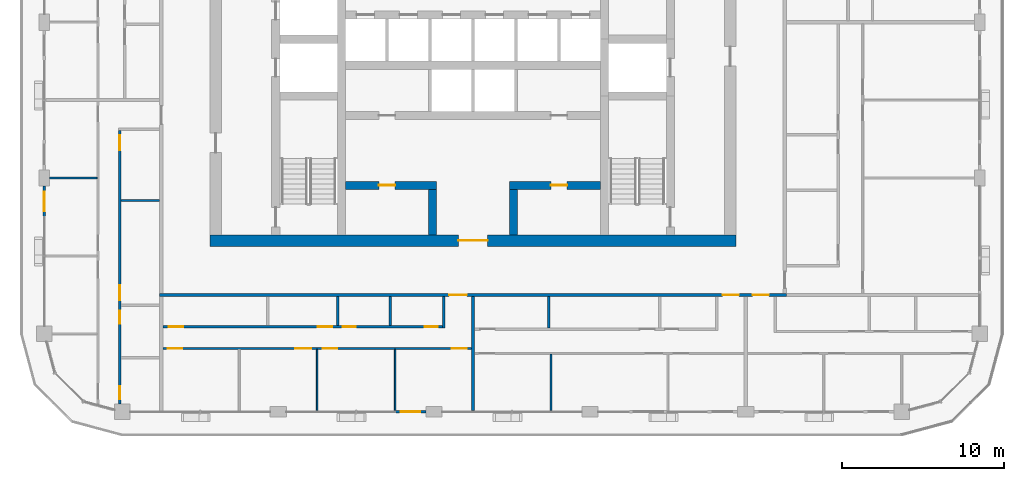
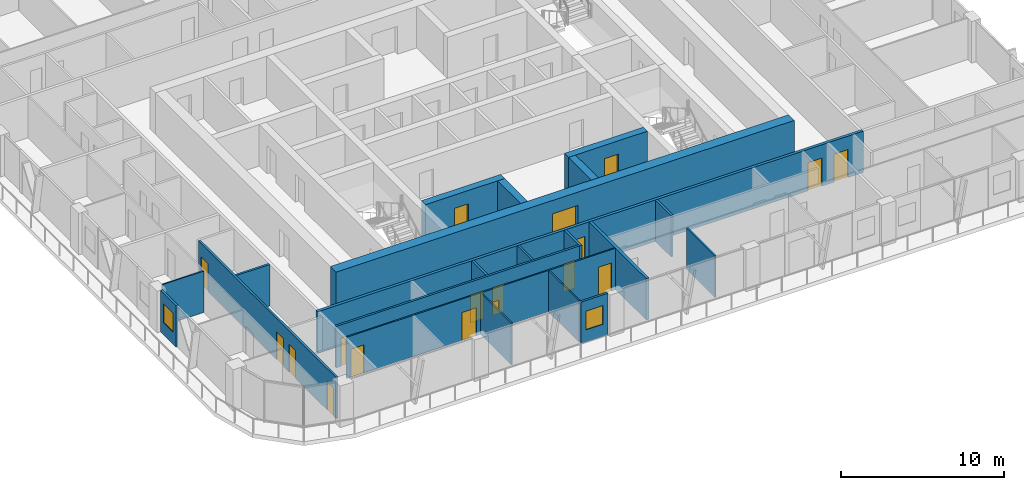
# One storey, part 9 of 22: 21 walls, 18 doors, 2 windows, 20 openings.
"""IFC4 building model written with IfcOpenShell, lengths in metres."""

from ifc_helpers import new_model, si_unit, direction, frame, frame_2d, origin, place, context, subcontext, project, spatial, rectangle, extrude, material, layer, layer_set, type_object, element, fill, save


model = new_model("IFC4")

# Units and contexts
model_context = context("Model", 3, precision=1e-05, world=origin(), true_north=direction((0.0, 1.0)))
body_context = subcontext(model_context, "Body", "Model", "MODEL_VIEW")
ifc_project = project(units=[si_unit("LENGTHUNIT", "METRE"), si_unit("AREAUNIT", "SQUARE_METRE"), si_unit("VOLUMEUNIT", "CUBIC_METRE"), si_unit("PLANEANGLEUNIT", "RADIAN"), si_unit("MASSUNIT", "GRAM", prefix="KILO")], contexts=[model_context])

# Site, building, storey
site_placement = place(None, origin())
site = spatial("IfcSite", under=ifc_project, at=site_placement, CompositionType="ELEMENT")
building_placement = place(site_placement, origin())
building = spatial("IfcBuilding", under=site, at=building_placement, Name="Madar Terraces", CompositionType="ELEMENT")
storey_placement = place(building_placement, frame((0.0, 0.0, 229.800048828125)))
storey = spatial("IfcBuildingStorey", under=building, at=storey_placement, Name="L60", CompositionType="ELEMENT", Elevation=229.800048828125)

# Wall, opening, door
ifc_material_1 = material(Name="Concrete C60/75", Category="concrete")
ifc_layer_1 = layer(ifc_material_1, 0.5)
ifc_layer_set_1 = layer_set([ifc_layer_1], Name="Concrete C60/75 (CIW4 RC wall 500)")
wall_type_1 = type_object("IfcWallType", Name="CIW4 RC wall 500", PredefinedType="SHEAR", material=ifc_layer_set_1)
wall_1_placement = place(storey_placement, frame((23.35009765625, 18.75, 0.0), z_axis=(0.0, 0.0, 1.0), x_axis=(1.0, 0.0, 0.0)))
wall_1 = element("IfcWall", 1, at=wall_1_placement, inside=storey, type_object=wall_type_1, Name="CORE SHAFT WALL", PredefinedType="SHEAR", context=body_context, shape_type="SweptSolid", body=[
    extrude(rectangle(XDim=5.599853515625, YDim=0.5, at=frame_2d((2.7998046875, 0.0))), origin(), (0.0, 0.0, 1.0), 3.099853515625),
])
opening_1_placement = place(wall_1_placement, frame((2.050048828125, 0.0, 0.0)))
opening_1 = element("IfcOpeningElement", 2, at=opening_1_placement, cuts=wall_1, Name="Opening KD2", PredefinedType="OPENING", context=body_context, shape_type="SweptSolid", body=[
    extrude(rectangle(XDim=1.0, YDim=2.10009765625, at=frame_2d((0.5, 1.050048828125))), frame((0.0, 0.260009765625, 0.0), z_axis=(0.0, -1.0, 0.0), x_axis=(1.0, 0.0, 0.0)), (0.0, 0.0, 1.0), 0.52001953125),
])
ifc_material_2 = material(Name="Steel door leaf", Category="steel")
door_type_1 = type_object("IfcDoorType", Name="Service room door 1000 x 2100", OperationType="NOTDEFINED", PredefinedType="DOOR", material=ifc_material_2)
door_1_placement = place(opening_1_placement, origin())
door_1 = element("IfcDoor", 3, at=door_1_placement, inside=storey, type_object=door_type_1, Name="SERVICE ROOM DOOR", OperationType="SINGLE_SWING_LEFT", OverallHeight=2.10009765625, OverallWidth=1.0, PredefinedType="DOOR", context=body_context, shape_type="SweptSolid", body=[
    extrude(rectangle(XDim=1.0, YDim=2.10009765625, at=frame_2d((0.5, 1.050048828125))), frame((0.0, 0.02490234375, 0.0), z_axis=(0.0, -1.0, 0.0), x_axis=(1.0, 0.0, 0.0)), (0.0, 0.0, 1.0), 0.050048828125),
])
fill(opening_1, door_1)

wall_2_placement = place(storey_placement, frame((33.449951171875, 18.75, 0.0), z_axis=(0.0, 0.0, 1.0), x_axis=(1.0, 0.0, 0.0)))
wall_2 = element("IfcWall", 4, at=wall_2_placement, inside=storey, type_object=wall_type_1, Name="CORE SHAFT WALL", PredefinedType="SHEAR", context=body_context, shape_type="SweptSolid", body=[
    extrude(rectangle(XDim=5.60009765625, YDim=0.5, at=frame_2d((2.800048828125, 0.0))), origin(), (0.0, 0.0, 1.0), 3.099853515625),
])
opening_2_placement = place(wall_2_placement, frame((2.550048828125, 0.0, 0.0)))
opening_2 = element("IfcOpeningElement", 5, at=opening_2_placement, cuts=wall_2, Name="Opening KD2", PredefinedType="OPENING", context=body_context, shape_type="SweptSolid", body=[
    extrude(rectangle(XDim=1.0, YDim=2.10009765625, at=frame_2d((0.5, 1.050048828125))), frame((0.0, 0.260009765625, 0.0), z_axis=(0.0, -1.0, 0.0), x_axis=(1.0, 0.0, 0.0)), (0.0, 0.0, 1.0), 0.52001953125),
])
door_2_placement = place(opening_2_placement, origin())
door_2 = element("IfcDoor", 6, at=door_2_placement, inside=storey, type_object=door_type_1, Name="SERVICE ROOM DOOR", OperationType="SINGLE_SWING_RIGHT", OverallHeight=2.10009765625, OverallWidth=1.0, PredefinedType="DOOR", context=body_context, shape_type="SweptSolid", body=[
    extrude(rectangle(XDim=1.0, YDim=2.10009765625, at=frame_2d((0.5, 1.050048828125))), frame((0.0, 0.02490234375, 0.0), z_axis=(0.0, -1.0, 0.0), x_axis=(1.0, 0.0, 0.0)), (0.0, 0.0, 1.0), 0.050048828125),
])
fill(opening_2, door_2)

# Walls
for number, where, z_axis, x_axis, name in (
    (7, (28.699951171875, 15.699951171875, 0.0), (0.0, 0.0, 1.0), (0.0, 1.0, 0.0), "CORE SHAFT WALL"),
    (8, (33.699951171875, 15.699951171875, 0.0), (0.0, 0.0, 1.0), (0.0, 1.0, 0.0), "CORE SHAFT WALL"),
):
    element("IfcWall", number, at=place(storey_placement, frame(where, z_axis=z_axis, x_axis=x_axis)), inside=storey, type_object=wall_type_1, Name=name, PredefinedType="SHEAR", context=body_context, shape_type="SweptSolid", body=[
        extrude(rectangle(XDim=2.800048828125, YDim=0.5, at=frame_2d((1.39990234375, 0.0))), origin(), (0.0, 0.0, 1.0), 3.099853515625),
    ])

# Wall, opening, door
ifc_material_3 = material(Name="Concrete C60/75", Category="concrete")
ifc_layer_2 = layer(ifc_material_3, 0.699951171875)
ifc_layer_set_2 = layer_set([ifc_layer_2], Name="Concrete C60/75 (CRW4 RC wall 700)")
wall_type_2 = type_object("IfcWallType", Name="CRW4 RC wall 700", PredefinedType="SHEAR", material=ifc_layer_set_2)
wall_3_placement = place(storey_placement, frame((15.0, 15.35009765625, 0.0), z_axis=(0.0, 0.0, 1.0), x_axis=(1.0, 0.0, 0.0)))
wall_3 = element("IfcWall", 9, at=wall_3_placement, inside=storey, type_object=wall_type_2, Name="CORE OUTER WALL", PredefinedType="SHEAR", context=body_context, shape_type="SweptSolid", body=[
    extrude(rectangle(XDim=32.39990234375, YDim=0.699951171875, at=frame_2d((16.199951171875, 0.0))), origin(), (0.0, 0.0, 1.0), 3.099853515625),
])
opening_3_placement = place(wall_3_placement, frame((15.300048828125, 0.0, 0.0)))
opening_3 = element("IfcOpeningElement", 10, at=opening_3_placement, cuts=wall_3, Name="Opening KD1", PredefinedType="OPENING", context=body_context, shape_type="SweptSolid", body=[
    extrude(rectangle(XDim=1.800048828125, YDim=2.10009765625, at=frame_2d((0.89990234375, 1.050048828125))), frame((0.0, 0.35986328125, 0.0), z_axis=(0.0, -1.0, 0.0), x_axis=(1.0, 0.0, 0.0)), (0.0, 0.0, 1.0), 0.719970703125),
])
ifc_material_4 = material(Name="Steel door leaf", Category="steel")
door_type_2 = type_object("IfcDoorType", Name="Lobby door pair 1800 x 2100", OperationType="DOUBLE_DOOR_SINGLE_SWING", PredefinedType="DOOR", material=ifc_material_4)
door_3_placement = place(opening_3_placement, frame((1.800048828125, 0.0, 0.0), z_axis=(0.0, 0.0, 1.0), x_axis=(-1.0, 0.0, 0.0)))
door_3 = element("IfcDoor", 11, at=door_3_placement, inside=storey, type_object=door_type_2, Name="LIFT LOBBY DOOR", OperationType="DOUBLE_DOOR_SINGLE_SWING", OverallHeight=2.10009765625, OverallWidth=1.800048828125, PredefinedType="DOOR", context=body_context, shape_type="SweptSolid", body=[
    extrude(rectangle(XDim=1.800048828125, YDim=2.10009765625, at=frame_2d((0.89990234375, 1.050048828125))), frame((0.0, 0.02490234375, 0.0), z_axis=(0.0, -1.0, 0.0), x_axis=(1.0, 0.0, 0.0)), (0.0, 0.0, 1.0), 0.050048828125),
])
fill(opening_3, door_3)

# Wall, opening, window
ifc_material_5 = material(Name="Aluminium composite panel, black, over insulated backing", Category="aluminium")
ifc_layer_3 = layer(ifc_material_5, 0.14990234375)
ifc_layer_set_3 = layer_set([ifc_layer_3], Name="Facade bay panel 150")
wall_type_3 = type_object("IfcWallType", Name="Facade bay panel 150", PredefinedType="SOLIDWALL", material=ifc_layer_set_3)
wall_4_placement = place(storey_placement, frame((26.39990234375, 4.800048828125, 0.0), z_axis=(0.0, 0.0, 1.0), x_axis=(1.0, 0.0, 0.0)))
wall_4 = element("IfcWall", 12, at=wall_4_placement, inside=storey, type_object=wall_type_3, Name="Facade bay panel", PredefinedType="SOLIDWALL", context=body_context, shape_type="SweptSolid", body=[
    extrude(rectangle(XDim=1.900146484375, YDim=0.14990234375, at=frame_2d((0.9501953125, 0.0))), origin(), (0.0, 0.0, 1.0), 3.099853515625),
])
opening_4_placement = place(wall_4_placement, frame((0.35009765625, 0.0, 0.89990234375)))
opening_4 = element("IfcOpeningElement", 13, at=opening_4_placement, cuts=wall_4, Name="Opening W1", PredefinedType="OPENING", context=body_context, shape_type="SweptSolid", body=[
    extrude(rectangle(XDim=1.199951171875, YDim=1.39990234375, at=frame_2d((0.60009765625, 0.699951171875))), frame((0.0, 0.0849609375, 0.0), z_axis=(0.0, -1.0, 0.0), x_axis=(1.0, 0.0, 0.0)), (0.0, 0.0, 1.0), 0.169921875),
])
ifc_material_6 = material(Name="Glass, clear, with black aluminium frame", Category="aluminium")
window_type = type_object("IfcWindowType", Name="Vent window 1200 x 1400", PartitioningType="SINGLE_PANEL", PredefinedType="WINDOW", material=ifc_material_6)
window_1_placement = place(opening_4_placement, origin())
window_1 = element("IfcWindow", 14, at=window_1_placement, inside=storey, type_object=window_type, Name="Operable vent window", OverallHeight=1.39990234375, OverallWidth=1.199951171875, PartitioningType="SINGLE_PANEL", PredefinedType="WINDOW", context=body_context, shape_type="SweptSolid", body=[
    extrude(rectangle(XDim=1.199951171875, YDim=1.39990234375, at=frame_2d((0.60009765625, 0.699951171875))), frame((0.0, 0.030029296875, 0.0), z_axis=(0.0, -1.0, 0.0), x_axis=(1.0, 0.0, 0.0)), (0.0, 0.0, 1.0), 0.06005859375),
])
fill(opening_4, window_1)

wall_5_placement = place(storey_placement, frame((4.800048828125, 18.699951171875, 0.0), z_axis=(0.0, 0.0, 1.0), x_axis=(0.0, -1.0, 0.0)))
wall_5 = element("IfcWall", 15, at=wall_5_placement, inside=storey, type_object=wall_type_3, Name="Facade bay panel", PredefinedType="SOLIDWALL", context=body_context, shape_type="SweptSolid", body=[
    extrude(rectangle(XDim=1.89990234375, YDim=0.14990234375, at=frame_2d((0.949951171875, 0.0))), origin(), (0.0, 0.0, 1.0), 3.099853515625),
])
opening_5_placement = place(wall_5_placement, frame((0.35009765625, 0.0, 0.89990234375)))
opening_5 = element("IfcOpeningElement", 16, at=opening_5_placement, cuts=wall_5, Name="Opening W1", PredefinedType="OPENING", context=body_context, shape_type="SweptSolid", body=[
    extrude(rectangle(XDim=1.199951171875, YDim=1.39990234375, at=frame_2d((0.60009765625, 0.699951171875))), frame((0.0, 0.0849609375, 0.0), z_axis=(0.0, -1.0, 0.0), x_axis=(1.0, 0.0, 0.0)), (0.0, 0.0, 1.0), 0.169921875),
])
window_2_placement = place(opening_5_placement, origin())
window_2 = element("IfcWindow", 17, at=window_2_placement, inside=storey, type_object=window_type, Name="Operable vent window", OverallHeight=1.39990234375, OverallWidth=1.199951171875, PartitioningType="SINGLE_PANEL", PredefinedType="WINDOW", context=body_context, shape_type="SweptSolid", body=[
    extrude(rectangle(XDim=1.199951171875, YDim=1.39990234375, at=frame_2d((0.60009765625, 0.699951171875))), frame((0.0, 0.030029296875, 0.0), z_axis=(0.0, -1.0, 0.0), x_axis=(1.0, 0.0, 0.0)), (0.0, 0.0, 1.0), 0.06005859375),
])
fill(opening_5, window_2)

# Walls
ifc_material_7 = material(Name="Gypsum board on steel studs", Category="steel")
ifc_layer_4 = layer(ifc_material_7, 0.10009765625)
ifc_layer_set_4 = layer_set([ifc_layer_4], Name="Flat partition 100")
wall_type_4 = type_object("IfcWallType", Name="Flat partition 100", PredefinedType="PARTITIONING", material=ifc_layer_set_4)
for number, where, z_axis, x_axis, name in (
    (18, (26.39990234375, 8.64990234375, 0.0), (0.0, 0.0, 1.0), (0.0, -1.0, 0.0), "Flat partition 100"),
    (19, (21.60009765625, 8.64990234375, 0.0), (0.0, 0.0, 1.0), (0.0, -1.0, 0.0), "Flat partition 100"),
):
    element("IfcWall", number, at=place(storey_placement, frame(where, z_axis=z_axis, x_axis=x_axis)), inside=storey, type_object=wall_type_4, Name=name, PredefinedType="PARTITIONING", context=body_context, shape_type="SweptSolid", body=[
        extrude(rectangle(XDim=3.75, YDim=0.10009765625, at=frame_2d((1.875, 0.0))), origin(), (0.0, 0.0, 1.0), 3.099853515625),
    ])

# Wall, openings, doors
wall_6_placement = place(storey_placement, frame((31.10009765625, 8.699951171875, 0.0), z_axis=(0.0, 0.0, 1.0), x_axis=(-1.0, 0.0, 0.0)))
wall_6 = element("IfcWall", 20, at=wall_6_placement, inside=storey, type_object=wall_type_4, Name="Flat partition 100", PredefinedType="PARTITIONING", context=body_context, shape_type="SweptSolid", body=[
    extrude(rectangle(XDim=19.0, YDim=0.10009765625, at=frame_2d((9.5, 0.0))), origin(), (0.0, 0.0, 1.0), 3.099853515625),
])
opening_6_placement = place(wall_6_placement, frame((0.300048828125, 0.0, 0.0)))
opening_6 = element("IfcOpeningElement", 21, at=opening_6_placement, cuts=wall_6, Name="Opening D2", PredefinedType="OPENING", context=body_context, shape_type="SweptSolid", body=[
    extrude(rectangle(XDim=0.89990234375, YDim=2.10009765625, at=frame_2d((0.449951171875, 1.050048828125))), frame((0.0, 0.06005859375, 0.0), z_axis=(0.0, -1.0, 0.0), x_axis=(1.0, 0.0, 0.0)), (0.0, 0.0, 1.0), 0.1201171875),
])
opening_7_placement = place(wall_6_placement, frame((8.25, 0.0, 0.0)))
opening_7 = element("IfcOpeningElement", 22, at=opening_7_placement, cuts=wall_6, Name="Opening D2", PredefinedType="OPENING", context=body_context, shape_type="SweptSolid", body=[
    extrude(rectangle(XDim=0.89990234375, YDim=2.10009765625, at=frame_2d((0.449951171875, 1.050048828125))), frame((0.0, 0.06005859375, 0.0), z_axis=(0.0, -1.0, 0.0), x_axis=(1.0, 0.0, 0.0)), (0.0, 0.0, 1.0), 0.1201171875),
])
opening_8_placement = place(wall_6_placement, frame((9.85009765625, 0.0, 0.0)))
opening_8 = element("IfcOpeningElement", 23, at=opening_8_placement, cuts=wall_6, Name="Opening D3", PredefinedType="OPENING", context=body_context, shape_type="SweptSolid", body=[
    extrude(rectangle(XDim=1.0, YDim=2.10009765625, at=frame_2d((0.5, 1.050048828125))), frame((0.0, 0.06005859375, 0.0), z_axis=(0.0, -1.0, 0.0), x_axis=(1.0, 0.0, 0.0)), (0.0, 0.0, 1.0), 0.1201171875),
])
opening_9_placement = place(wall_6_placement, frame((17.800048828125, 0.0, 0.0)))
opening_9 = element("IfcOpeningElement", 24, at=opening_9_placement, cuts=wall_6, Name="Opening D2", PredefinedType="OPENING", context=body_context, shape_type="SweptSolid", body=[
    extrude(rectangle(XDim=0.89990234375, YDim=2.10009765625, at=frame_2d((0.449951171875, 1.050048828125))), frame((0.0, 0.06005859375, 0.0), z_axis=(0.0, -1.0, 0.0), x_axis=(1.0, 0.0, 0.0)), (0.0, 0.0, 1.0), 0.1201171875),
])
ifc_material_8 = material(Name="Timber door leaf", Category="wood")
door_type_3 = type_object("IfcDoorType", Name="Flat living room door 1000", OperationType="NOTDEFINED", PredefinedType="DOOR", material=ifc_material_8)
door_4_placement = place(opening_8_placement, origin())
door_4 = element("IfcDoor", 25, at=door_4_placement, inside=storey, type_object=door_type_3, Name="Flat living room door 1000", OperationType="SINGLE_SWING_LEFT", OverallHeight=2.10009765625, OverallWidth=1.0, PredefinedType="DOOR", context=body_context, shape_type="SweptSolid", body=[
    extrude(rectangle(XDim=1.0, YDim=2.10009765625, at=frame_2d((0.5, 1.050048828125))), frame((0.0, 0.02490234375, 0.0), z_axis=(0.0, -1.0, 0.0), x_axis=(1.0, 0.0, 0.0)), (0.0, 0.0, 1.0), 0.050048828125),
])
fill(opening_8, door_4)
ifc_material_9 = material(Name="Timber door leaf", Category="wood")
door_type_4 = type_object("IfcDoorType", Name="Flat room door 900", OperationType="NOTDEFINED", PredefinedType="DOOR", material=ifc_material_9)
door_5_placement = place(opening_6_placement, origin())
door_5 = element("IfcDoor", 26, at=door_5_placement, inside=storey, type_object=door_type_4, Name="Flat room door 900", OperationType="SINGLE_SWING_LEFT", OverallHeight=2.10009765625, OverallWidth=0.89990234375, PredefinedType="DOOR", context=body_context, shape_type="SweptSolid", body=[
    extrude(rectangle(XDim=0.89990234375, YDim=2.10009765625, at=frame_2d((0.449951171875, 1.050048828125))), frame((0.0, 0.02490234375, 0.0), z_axis=(0.0, -1.0, 0.0), x_axis=(1.0, 0.0, 0.0)), (0.0, 0.0, 1.0), 0.050048828125),
])
fill(opening_6, door_5)
door_6_placement = place(opening_7_placement, origin())
door_6 = element("IfcDoor", 27, at=door_6_placement, inside=storey, type_object=door_type_4, Name="Flat room door 900", OperationType="SINGLE_SWING_RIGHT", OverallHeight=2.10009765625, OverallWidth=0.89990234375, PredefinedType="DOOR", context=body_context, shape_type="SweptSolid", body=[
    extrude(rectangle(XDim=0.89990234375, YDim=2.10009765625, at=frame_2d((0.449951171875, 1.050048828125))), frame((0.0, 0.02490234375, 0.0), z_axis=(0.0, -1.0, 0.0), x_axis=(1.0, 0.0, 0.0)), (0.0, 0.0, 1.0), 0.050048828125),
])
fill(opening_7, door_6)
door_7_placement = place(opening_9_placement, origin())
door_7 = element("IfcDoor", 28, at=door_7_placement, inside=storey, type_object=door_type_4, Name="Flat room door 900", OperationType="SINGLE_SWING_RIGHT", OverallHeight=2.10009765625, OverallWidth=0.89990234375, PredefinedType="DOOR", context=body_context, shape_type="SweptSolid", body=[
    extrude(rectangle(XDim=0.89990234375, YDim=2.10009765625, at=frame_2d((0.449951171875, 1.050048828125))), frame((0.0, 0.02490234375, 0.0), z_axis=(0.0, -1.0, 0.0), x_axis=(1.0, 0.0, 0.0)), (0.0, 0.0, 1.0), 0.050048828125),
])
fill(opening_9, door_7)

# Walls
wall_7_placement = place(storey_placement, frame((36.0, 8.35009765625, 0.0), z_axis=(0.0, 0.0, 1.0), x_axis=(0.0, -1.0, 0.0)))
element("IfcWall", 29, at=wall_7_placement, inside=storey, type_object=wall_type_4, Name="Flat partition 100", PredefinedType="PARTITIONING", context=body_context, shape_type="SweptSolid", body=[
    extrude(rectangle(XDim=3.4501953125, YDim=0.10009765625, at=frame_2d((1.72509765625, 0.0))), origin(), (0.0, 0.0, 1.0), 3.099853515625),
])
wall_8_placement = place(storey_placement, frame((8.050048828125, 19.199951171875, 0.0), z_axis=(0.0, 0.0, 1.0), x_axis=(-1.0, 0.0, 0.0)))
element("IfcWall", 30, at=wall_8_placement, inside=storey, type_object=wall_type_4, Name="Flat partition 100", PredefinedType="PARTITIONING", context=body_context, shape_type="SweptSolid", body=[
    extrude(rectangle(XDim=2.925048828125, YDim=0.10009765625, at=frame_2d((1.46240234375, 0.0))), origin(), (0.0, 0.0, 1.0), 3.099853515625),
])

# Wall, openings, doors
ifc_material_10 = material(Name="Lightweight blockwork", Category="masonry")
ifc_layer_5 = layer(ifc_material_10, 0.199951171875)
ifc_layer_set_5 = layer_set([ifc_layer_5], Name="Flat party and entrance wall 200")
wall_type_5 = type_object("IfcWallType", Name="Flat party and entrance wall 200", PredefinedType="PARTITIONING", material=ifc_layer_set_5)
wall_9_placement = place(storey_placement, frame((50.5, 12.0, 0.0), z_axis=(0.0, 0.0, 1.0), x_axis=(-1.0, 0.0, 0.0)))
wall_9 = element("IfcWall", 31, at=wall_9_placement, inside=storey, type_object=wall_type_5, Name="Flat party and entrance wall 200", PredefinedType="PARTITIONING", context=body_context, shape_type="SweptSolid", body=[
    extrude(rectangle(XDim=38.60009765625, YDim=0.199951171875, at=frame_2d((19.300048828125, 0.0))), origin(), (0.0, 0.0, 1.0), 3.099853515625),
])
opening_10_placement = place(wall_9_placement, frame((19.675048828125, 0.0, 0.0)))
opening_10 = element("IfcOpeningElement", 32, at=opening_10_placement, cuts=wall_9, Name="Opening D6", PredefinedType="OPENING", context=body_context, shape_type="SweptSolid", body=[
    extrude(rectangle(XDim=1.10009765625, YDim=2.10009765625, at=frame_2d((0.550048828125, 1.050048828125))), frame((0.0, 0.10986328125, 0.0), z_axis=(0.0, -1.0, 0.0), x_axis=(1.0, 0.0, 0.0)), (0.0, 0.0, 1.0), 0.219970703125),
])
opening_11_placement = place(wall_9_placement, frame((2.925048828125, 0.0, 0.0)))
opening_11 = element("IfcOpeningElement", 33, at=opening_11_placement, cuts=wall_9, Name="Opening D1", PredefinedType="OPENING", context=body_context, shape_type="SweptSolid", body=[
    extrude(rectangle(XDim=1.0, YDim=2.10009765625, at=frame_2d((0.5, 1.050048828125))), frame((0.0, 0.10986328125, 0.0), z_axis=(0.0, -1.0, 0.0), x_axis=(1.0, 0.0, 0.0)), (0.0, 0.0, 1.0), 0.219970703125),
])
opening_12_placement = place(wall_9_placement, frame((1.074951171875, 0.0, 0.0)))
opening_12 = element("IfcOpeningElement", 34, at=opening_12_placement, cuts=wall_9, Name="Opening D1", PredefinedType="OPENING", context=body_context, shape_type="SweptSolid", body=[
    extrude(rectangle(XDim=1.0, YDim=2.10009765625, at=frame_2d((0.5, 1.050048828125))), frame((0.0, 0.10986328125, 0.0), z_axis=(0.0, -1.0, 0.0), x_axis=(1.0, 0.0, 0.0)), (0.0, 0.0, 1.0), 0.219970703125),
])
ifc_material_11 = material(Name="Timber fire door leaf", Category="wood")
door_type_5 = type_object("IfcDoorType", Name="Flat entrance door 1000 FD30S", OperationType="NOTDEFINED", PredefinedType="DOOR", material=ifc_material_11)
door_8_placement = place(opening_11_placement, origin())
door_8 = element("IfcDoor", 35, at=door_8_placement, inside=storey, type_object=door_type_5, Name="Flat entrance door 1000 FD30S", OperationType="SINGLE_SWING_LEFT", OverallHeight=2.10009765625, OverallWidth=1.0, PredefinedType="DOOR", context=body_context, shape_type="SweptSolid", body=[
    extrude(rectangle(XDim=1.0, YDim=2.10009765625, at=frame_2d((0.5, 1.050048828125))), frame((0.0, 0.02490234375, 0.0), z_axis=(0.0, -1.0, 0.0), x_axis=(1.0, 0.0, 0.0)), (0.0, 0.0, 1.0), 0.050048828125),
])
fill(opening_11, door_8)
door_9_placement = place(opening_12_placement, origin())
door_9 = element("IfcDoor", 36, at=door_9_placement, inside=storey, type_object=door_type_5, Name="Flat entrance door 1000 FD30S", OperationType="SINGLE_SWING_RIGHT", OverallHeight=2.10009765625, OverallWidth=1.0, PredefinedType="DOOR", context=body_context, shape_type="SweptSolid", body=[
    extrude(rectangle(XDim=1.0, YDim=2.10009765625, at=frame_2d((0.5, 1.050048828125))), frame((0.0, 0.02490234375, 0.0), z_axis=(0.0, -1.0, 0.0), x_axis=(1.0, 0.0, 0.0)), (0.0, 0.0, 1.0), 0.050048828125),
])
fill(opening_12, door_9)
ifc_material_12 = material(Name="Timber fire door leaf", Category="wood")
door_type_6 = type_object("IfcDoorType", Name="Flat entrance door 1100 FD30S", OperationType="NOTDEFINED", PredefinedType="DOOR", material=ifc_material_12)
door_10_placement = place(opening_10_placement, origin())
door_10 = element("IfcDoor", 37, at=door_10_placement, inside=storey, type_object=door_type_6, Name="Flat entrance door 1100 FD30S", OperationType="SINGLE_SWING_LEFT", OverallHeight=2.10009765625, OverallWidth=1.10009765625, PredefinedType="DOOR", context=body_context, shape_type="SweptSolid", body=[
    extrude(rectangle(XDim=1.10009765625, YDim=2.10009765625, at=frame_2d((0.550048828125, 1.050048828125))), frame((0.0, 0.02490234375, 0.0), z_axis=(0.0, -1.0, 0.0), x_axis=(1.0, 0.0, 0.0)), (0.0, 0.0, 1.0), 0.050048828125),
])
fill(opening_10, door_10)

# Walls
wall_10_placement = place(storey_placement, frame((31.199951171875, 11.89990234375, 0.0), z_axis=(0.0, 0.0, 1.0), x_axis=(0.0, -1.0, 0.0)))
element("IfcWall", 38, at=wall_10_placement, inside=storey, type_object=wall_type_5, Name="Flat party and entrance wall 200", PredefinedType="PARTITIONING", context=body_context, shape_type="SweptSolid", body=[
    extrude(rectangle(XDim=7.0, YDim=0.199951171875, at=frame_2d((3.5, 0.0))), origin(), (0.0, 0.0, 1.0), 3.099853515625),
])
ifc_material_13 = material(Name="Lightweight blockwork", Category="masonry")
ifc_layer_6 = layer(ifc_material_13, 0.14990234375)
ifc_layer_set_6 = layer_set([ifc_layer_6], Name="Flat wet-room partition 150")
wall_type_6 = type_object("IfcWallType", Name="Flat wet-room partition 150", PredefinedType="PARTITIONING", material=ifc_layer_set_6)
for number, where, z_axis, x_axis, name in (
    (39, (26.09521484375, 11.89990234375, 0.0), (0.0, 0.0, 1.0), (0.0, -1.0, 0.0), "Flat wet-room partition 150"),
    (40, (22.865478515625, 11.89990234375, 0.0), (0.0, 0.0, 1.0), (0.0, -1.0, 0.0), "Flat wet-room partition 150"),
):
    element("IfcWall", number, at=place(storey_placement, frame(where, z_axis=z_axis, x_axis=x_axis)), inside=storey, type_object=wall_type_6, Name=name, PredefinedType="PARTITIONING", context=body_context, shape_type="SweptSolid", body=[
        extrude(rectangle(XDim=1.77490234375, YDim=0.14990234375, at=frame_2d((0.887451171875, 0.0))), origin(), (0.0, 0.0, 1.0), 3.099853515625),
    ])
wall_11_placement = place(storey_placement, frame((29.39990234375, 11.89990234375, 0.0), z_axis=(0.0, 0.0, 1.0), x_axis=(0.0, -1.0, 0.0)))
element("IfcWall", 41, at=wall_11_placement, inside=storey, type_object=wall_type_6, Name="Flat wet-room partition 150", PredefinedType="PARTITIONING", context=body_context, shape_type="SweptSolid", body=[
    extrude(rectangle(XDim=1.9248046875, YDim=0.14990234375, at=frame_2d((0.96240234375, 0.0))), origin(), (0.0, 0.0, 1.0), 3.099853515625),
])

# Wall, openings, doors
wall_12_placement = place(storey_placement, frame((12.10009765625, 10.050048828125, 0.0), z_axis=(0.0, 0.0, 1.0), x_axis=(1.0, 0.0, 0.0)))
wall_12 = element("IfcWall", 42, at=wall_12_placement, inside=storey, type_object=wall_type_6, Name="Flat wet-room partition 150", PredefinedType="PARTITIONING", context=body_context, shape_type="SweptSolid", body=[
    extrude(rectangle(XDim=17.224853515625, YDim=0.14990234375, at=frame_2d((8.6123046875, 0.0))), origin(), (0.0, 0.0, 1.0), 3.099853515625),
])
opening_13_placement = place(wall_12_placement, frame((16.125, 0.0, 0.0)))
opening_13 = element("IfcOpeningElement", 43, at=opening_13_placement, cuts=wall_12, Name="Opening D4", PredefinedType="OPENING", context=body_context, shape_type="SweptSolid", body=[
    extrude(rectangle(XDim=0.800048828125, YDim=2.10009765625, at=frame_2d((0.39990234375, 1.050048828125))), frame((0.0, 0.0849609375, 0.0), z_axis=(0.0, -1.0, 0.0), x_axis=(1.0, 0.0, 0.0)), (0.0, 0.0, 1.0), 0.169921875),
])
opening_14_placement = place(wall_12_placement, frame((11.090576171875, 0.0, 0.0)))
opening_14 = element("IfcOpeningElement", 44, at=opening_14_placement, cuts=wall_12, Name="Opening D7", PredefinedType="OPENING", context=body_context, shape_type="SweptSolid", body=[
    extrude(rectangle(XDim=0.800048828125, YDim=2.10009765625, at=frame_2d((0.39990234375, 1.050048828125))), frame((0.0, 0.0849609375, 0.0), z_axis=(0.0, -1.0, 0.0), x_axis=(1.0, 0.0, 0.0)), (0.0, 0.0, 1.0), 0.169921875),
])
opening_15_placement = place(wall_12_placement, frame((9.54052734375, 0.0, 0.0)))
opening_15 = element("IfcOpeningElement", 45, at=opening_15_placement, cuts=wall_12, Name="Opening D5", PredefinedType="OPENING", context=body_context, shape_type="SweptSolid", body=[
    extrude(rectangle(XDim=0.89990234375, YDim=2.10009765625, at=frame_2d((0.449951171875, 1.050048828125))), frame((0.0, 0.0849609375, 0.0), z_axis=(0.0, -1.0, 0.0), x_axis=(1.0, 0.0, 0.0)), (0.0, 0.0, 1.0), 0.169921875),
])
opening_16_placement = place(wall_12_placement, frame((0.35009765625, 0.0, 0.0)))
opening_16 = element("IfcOpeningElement", 46, at=opening_16_placement, cuts=wall_12, Name="Opening D2", PredefinedType="OPENING", context=body_context, shape_type="SweptSolid", body=[
    extrude(rectangle(XDim=0.89990234375, YDim=2.10009765625, at=frame_2d((0.449951171875, 1.050048828125))), frame((0.0, 0.0849609375, 0.0), z_axis=(0.0, -1.0, 0.0), x_axis=(1.0, 0.0, 0.0)), (0.0, 0.0, 1.0), 0.169921875),
])
ifc_material_14 = material(Name="Timber door leaf", Category="wood")
door_type_7 = type_object("IfcDoorType", Name="Flat accessible bathroom door 900", OperationType="NOTDEFINED", PredefinedType="DOOR", material=ifc_material_14)
door_11_placement = place(opening_15_placement, origin())
door_11 = element("IfcDoor", 47, at=door_11_placement, inside=storey, type_object=door_type_7, Name="Flat accessible bathroom door 900", OperationType="SINGLE_SWING_RIGHT", OverallHeight=2.10009765625, OverallWidth=0.89990234375, PredefinedType="DOOR", context=body_context, shape_type="SweptSolid", body=[
    extrude(rectangle(XDim=0.89990234375, YDim=2.10009765625, at=frame_2d((0.449951171875, 1.050048828125))), frame((0.0, 0.02490234375, 0.0), z_axis=(0.0, -1.0, 0.0), x_axis=(1.0, 0.0, 0.0)), (0.0, 0.0, 1.0), 0.050048828125),
])
fill(opening_15, door_11)
ifc_material_15 = material(Name="Timber door leaf", Category="wood")
door_type_8 = type_object("IfcDoorType", Name="Flat bathroom door 800", OperationType="NOTDEFINED", PredefinedType="DOOR", material=ifc_material_15)
door_12_placement = place(opening_13_placement, origin())
door_12 = element("IfcDoor", 48, at=door_12_placement, inside=storey, type_object=door_type_8, Name="Flat bathroom door 800", OperationType="SINGLE_SWING_RIGHT", OverallHeight=2.10009765625, OverallWidth=0.800048828125, PredefinedType="DOOR", context=body_context, shape_type="SweptSolid", body=[
    extrude(rectangle(XDim=0.800048828125, YDim=2.10009765625, at=frame_2d((0.39990234375, 1.050048828125))), frame((0.0, 0.02490234375, 0.0), z_axis=(0.0, -1.0, 0.0), x_axis=(1.0, 0.0, 0.0)), (0.0, 0.0, 1.0), 0.050048828125),
])
fill(opening_13, door_12)
door_13_placement = place(opening_16_placement, origin())
door_13 = element("IfcDoor", 49, at=door_13_placement, inside=storey, type_object=door_type_4, Name="Flat room door 900", OperationType="SINGLE_SWING_LEFT", OverallHeight=2.10009765625, OverallWidth=0.89990234375, PredefinedType="DOOR", context=body_context, shape_type="SweptSolid", body=[
    extrude(rectangle(XDim=0.89990234375, YDim=2.10009765625, at=frame_2d((0.449951171875, 1.050048828125))), frame((0.0, 0.02490234375, 0.0), z_axis=(0.0, -1.0, 0.0), x_axis=(1.0, 0.0, 0.0)), (0.0, 0.0, 1.0), 0.050048828125),
])
fill(opening_16, door_13)
ifc_material_16 = material(Name="Timber door leaf", Category="wood")
door_type_9 = type_object("IfcDoorType", Name="Flat utility door 800", OperationType="NOTDEFINED", PredefinedType="DOOR", material=ifc_material_16)
door_14_placement = place(opening_14_placement, origin())
door_14 = element("IfcDoor", 50, at=door_14_placement, inside=storey, type_object=door_type_9, Name="Flat utility door 800", OperationType="SINGLE_SWING_LEFT", OverallHeight=2.10009765625, OverallWidth=0.800048828125, PredefinedType="DOOR", context=body_context, shape_type="SweptSolid", body=[
    extrude(rectangle(XDim=0.800048828125, YDim=2.10009765625, at=frame_2d((0.39990234375, 1.050048828125))), frame((0.0, 0.02490234375, 0.0), z_axis=(0.0, -1.0, 0.0), x_axis=(1.0, 0.0, 0.0)), (0.0, 0.0, 1.0), 0.050048828125),
])
fill(opening_14, door_14)

# Walls
wall_13_placement = place(storey_placement, frame((35.861572265625, 11.89990234375, 0.0), z_axis=(0.0, 0.0, 1.0), x_axis=(0.0, -1.0, 0.0)))
element("IfcWall", 51, at=wall_13_placement, inside=storey, type_object=wall_type_6, Name="Flat wet-room partition 150", PredefinedType="PARTITIONING", context=body_context, shape_type="SweptSolid", body=[
    extrude(rectangle(XDim=1.9248046875, YDim=0.14990234375, at=frame_2d((0.96240234375, 0.0))), origin(), (0.0, 0.0, 1.0), 3.099853515625),
])
wall_14_placement = place(storey_placement, frame((11.89990234375, 17.81884765625, 0.0), z_axis=(0.0, 0.0, 1.0), x_axis=(-1.0, 0.0, 0.0)))
element("IfcWall", 52, at=wall_14_placement, inside=storey, type_object=wall_type_6, Name="Flat wet-room partition 150", PredefinedType="PARTITIONING", context=body_context, shape_type="SweptSolid", body=[
    extrude(rectangle(XDim=2.375, YDim=0.14990234375, at=frame_2d((1.1875, 0.0))), origin(), (0.0, 0.0, 1.0), 3.099853515625),
])

# Wall, openings, doors
wall_15_placement = place(storey_placement, frame((9.449951171875, 22.125, 0.0), z_axis=(0.0, 0.0, 1.0), x_axis=(0.0, -1.0, 0.0)))
wall_15 = element("IfcWall", 53, at=wall_15_placement, inside=storey, type_object=wall_type_6, Name="Flat wet-room partition 150", PredefinedType="PARTITIONING", context=body_context, shape_type="SweptSolid", body=[
    extrude(rectangle(XDim=16.85009765625, YDim=0.14990234375, at=frame_2d((8.425048828125, 0.0))), origin(), (0.0, 0.0, 1.0), 3.099853515625),
])
opening_17_placement = place(wall_15_placement, frame((0.300048828125, 0.0, 0.0)))
opening_17 = element("IfcOpeningElement", 54, at=opening_17_placement, cuts=wall_15, Name="Opening D5", PredefinedType="OPENING", context=body_context, shape_type="SweptSolid", body=[
    extrude(rectangle(XDim=0.89990234375, YDim=2.10009765625, at=frame_2d((0.449951171875, 1.050048828125))), frame((0.0, 0.0849609375, 0.0), z_axis=(0.0, -1.0, 0.0), x_axis=(1.0, 0.0, 0.0)), (0.0, 0.0, 1.0), 0.169921875),
])
opening_18_placement = place(wall_15_placement, frame((9.54052734375, 0.0, 0.0)))
opening_18 = element("IfcOpeningElement", 55, at=opening_18_placement, cuts=wall_15, Name="Opening D2", PredefinedType="OPENING", context=body_context, shape_type="SweptSolid", body=[
    extrude(rectangle(XDim=0.89990234375, YDim=2.10009765625, at=frame_2d((0.449951171875, 1.050048828125))), frame((0.0, 0.0849609375, 0.0), z_axis=(0.0, -1.0, 0.0), x_axis=(1.0, 0.0, 0.0)), (0.0, 0.0, 1.0), 0.169921875),
])
opening_19_placement = place(wall_15_placement, frame((11.090576171875, 0.0, 0.0)))
opening_19 = element("IfcOpeningElement", 56, at=opening_19_placement, cuts=wall_15, Name="Opening D4", PredefinedType="OPENING", context=body_context, shape_type="SweptSolid", body=[
    extrude(rectangle(XDim=0.800048828125, YDim=2.10009765625, at=frame_2d((0.39990234375, 1.050048828125))), frame((0.0, 0.0849609375, 0.0), z_axis=(0.0, -1.0, 0.0), x_axis=(1.0, 0.0, 0.0)), (0.0, 0.0, 1.0), 0.169921875),
])
opening_20_placement = place(wall_15_placement, frame((15.75, 0.0, 0.0)))
opening_20 = element("IfcOpeningElement", 57, at=opening_20_placement, cuts=wall_15, Name="Opening D7", PredefinedType="OPENING", context=body_context, shape_type="SweptSolid", body=[
    extrude(rectangle(XDim=0.800048828125, YDim=2.10009765625, at=frame_2d((0.39990234375, 1.050048828125))), frame((0.0, 0.0849609375, 0.0), z_axis=(0.0, -1.0, 0.0), x_axis=(1.0, 0.0, 0.0)), (0.0, 0.0, 1.0), 0.169921875),
])
door_15_placement = place(opening_17_placement, origin())
door_15 = element("IfcDoor", 58, at=door_15_placement, inside=storey, type_object=door_type_7, Name="Flat accessible bathroom door 900", OperationType="SINGLE_SWING_LEFT", OverallHeight=2.10009765625, OverallWidth=0.89990234375, PredefinedType="DOOR", context=body_context, shape_type="SweptSolid", body=[
    extrude(rectangle(XDim=0.89990234375, YDim=2.10009765625, at=frame_2d((0.449951171875, 1.050048828125))), frame((0.0, 0.02490234375, 0.0), z_axis=(0.0, -1.0, 0.0), x_axis=(1.0, 0.0, 0.0)), (0.0, 0.0, 1.0), 0.050048828125),
])
fill(opening_17, door_15)
door_16_placement = place(opening_19_placement, origin())
door_16 = element("IfcDoor", 59, at=door_16_placement, inside=storey, type_object=door_type_8, Name="Flat bathroom door 800", OperationType="SINGLE_SWING_LEFT", OverallHeight=2.10009765625, OverallWidth=0.800048828125, PredefinedType="DOOR", context=body_context, shape_type="SweptSolid", body=[
    extrude(rectangle(XDim=0.800048828125, YDim=2.10009765625, at=frame_2d((0.39990234375, 1.050048828125))), frame((0.0, 0.02490234375, 0.0), z_axis=(0.0, -1.0, 0.0), x_axis=(1.0, 0.0, 0.0)), (0.0, 0.0, 1.0), 0.050048828125),
])
fill(opening_19, door_16)
door_17_placement = place(opening_18_placement, origin())
door_17 = element("IfcDoor", 60, at=door_17_placement, inside=storey, type_object=door_type_4, Name="Flat room door 900", OperationType="SINGLE_SWING_RIGHT", OverallHeight=2.10009765625, OverallWidth=0.89990234375, PredefinedType="DOOR", context=body_context, shape_type="SweptSolid", body=[
    extrude(rectangle(XDim=0.89990234375, YDim=2.10009765625, at=frame_2d((0.449951171875, 1.050048828125))), frame((0.0, 0.02490234375, 0.0), z_axis=(0.0, -1.0, 0.0), x_axis=(1.0, 0.0, 0.0)), (0.0, 0.0, 1.0), 0.050048828125),
])
fill(opening_18, door_17)
door_18_placement = place(opening_20_placement, origin())
door_18 = element("IfcDoor", 61, at=door_18_placement, inside=storey, type_object=door_type_9, Name="Flat utility door 800", OperationType="SINGLE_SWING_RIGHT", OverallHeight=2.10009765625, OverallWidth=0.800048828125, PredefinedType="DOOR", context=body_context, shape_type="SweptSolid", body=[
    extrude(rectangle(XDim=0.800048828125, YDim=2.10009765625, at=frame_2d((0.39990234375, 1.050048828125))), frame((0.0, 0.02490234375, 0.0), z_axis=(0.0, -1.0, 0.0), x_axis=(1.0, 0.0, 0.0)), (0.0, 0.0, 1.0), 0.050048828125),
])
fill(opening_20, door_18)

save(model, "model.ifc")
